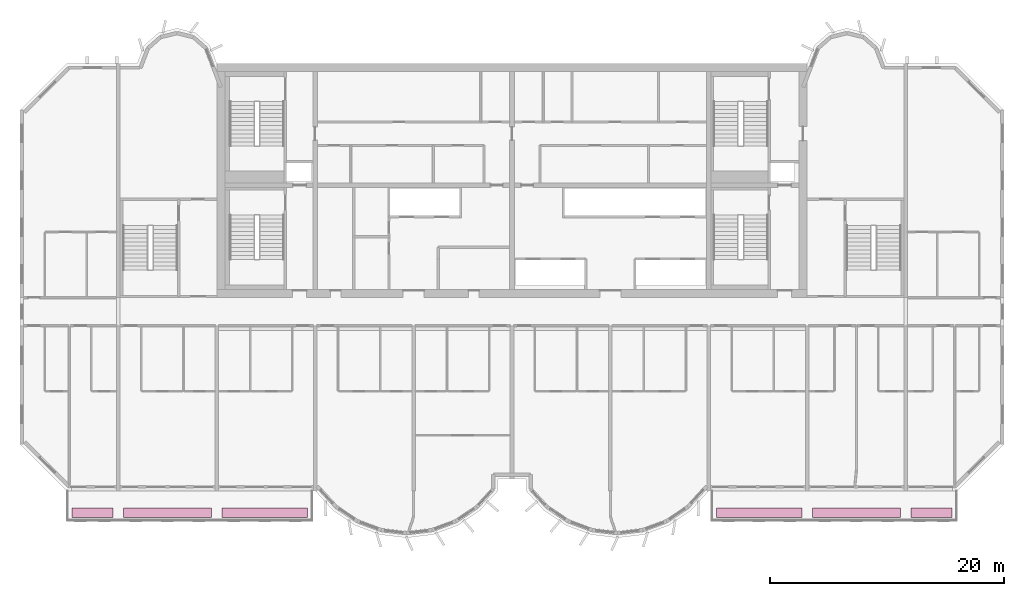
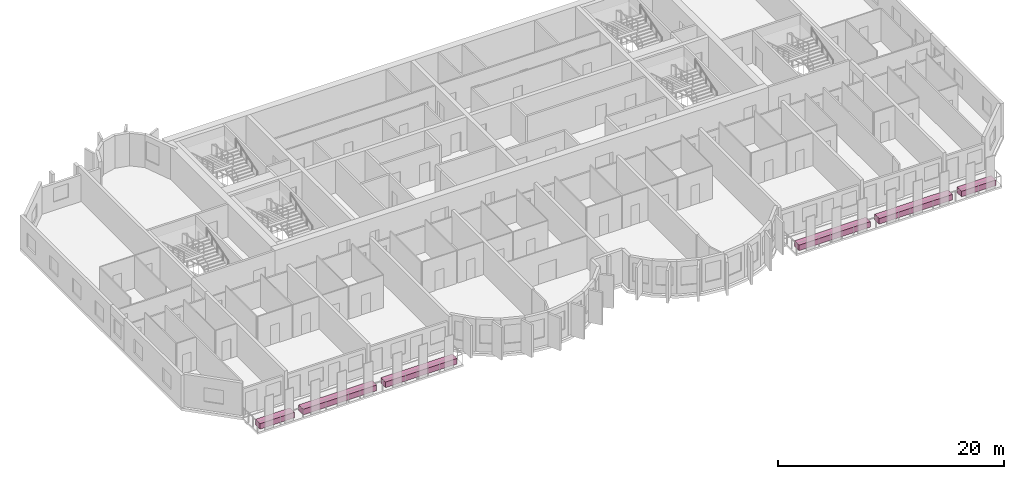
# One storey, part 13 of 13: 6 furniture elements.
"""IFC4 building model written with IfcOpenShell, lengths in metres."""

from ifc_helpers import new_model, si_unit, direction, frame, origin, origin_2d, place, context, subcontext, project, spatial, rectangle, extrude, source, transform, mapped, material, type_object, element, save


model = new_model("IFC4")

# Units and contexts
model_context = context("Model", 3, precision=1e-05, world=origin(), true_north=direction((0.0, 1.0)))
body_context = subcontext(model_context, "Body", "Model", "MODEL_VIEW")
ifc_project = project(units=[si_unit("LENGTHUNIT", "METRE"), si_unit("AREAUNIT", "SQUARE_METRE"), si_unit("VOLUMEUNIT", "CUBIC_METRE"), si_unit("PLANEANGLEUNIT", "RADIAN"), si_unit("MASSUNIT", "GRAM", prefix="KILO")], contexts=[model_context])

# Site, building, storey
site_placement = place(None, origin())
site = spatial("IfcSite", under=ifc_project, at=site_placement, CompositionType="ELEMENT")
building_placement = place(site_placement, origin())
building = spatial("IfcBuilding", under=site, at=building_placement, Name="Vanashikhar Sky Hotel", CompositionType="ELEMENT")
storey_placement = place(building_placement, frame((0.0, 0.0, 189.60009765625)))
storey = spatial("IfcBuildingStorey", under=building, at=storey_placement, Name="L46", CompositionType="ELEMENT", Elevation=189.60009765625)

# Furniture
ifc_material = material(Name="Planting soil and shrubs")
furniture_type = type_object("IfcFurnitureType", Name="Planter trough", AssemblyPlace="NOTDEFINED", PredefinedType="USERDEFINED", material=ifc_material)
shared_shape_1 = source(origin(), body_context, "Body", "SweptSolid", [
    extrude(rectangle(XDim=3.5, YDim=0.800048828125, at=origin_2d()), origin(), (0.0, 0.0, 1.0), 0.60009765625),
])
for number, where, z_axis, x_axis, name in (
    (1, (14.60009765625, 3.64990234375, -0.050048828125), (0.0, 0.0, 1.0), (1.0, 0.0, 0.0), "PLANTER with climbers"),
    (2, (86.199951171875, 3.64990234375, -0.050048828125), (0.0, 0.0, 1.0), (1.0, 0.0, 0.0), "PLANTER with climbers"),
):
    element("IfcFurniture", number, at=place(storey_placement, frame(where, z_axis=z_axis, x_axis=x_axis)), inside=storey, type_object=furniture_type, Name=name, ObjectType="PLANTER", PredefinedType="USERDEFINED", context=body_context, shape_type="MappedRepresentation", body=[
        mapped(shared_shape_1, transform((0.0, 0.0, 0.0), scale=1.0)),
    ])
shared_shape_2 = source(origin(), body_context, "Body", "SweptSolid", [
    extrude(rectangle(XDim=7.5, YDim=0.800048828125, at=origin_2d()), origin(), (0.0, 0.0, 1.0), 0.60009765625),
])
for number, where, z_axis, x_axis, name in (
    (3, (21.0, 3.64990234375, -0.050048828125), (0.0, 0.0, 1.0), (1.0, 0.0, 0.0), "PLANTER with climbers"),
    (4, (79.800048828125, 3.64990234375, -0.050048828125), (0.0, 0.0, 1.0), (1.0, 0.0, 0.0), "PLANTER with climbers"),
):
    element("IfcFurniture", number, at=place(storey_placement, frame(where, z_axis=z_axis, x_axis=x_axis)), inside=storey, type_object=furniture_type, Name=name, ObjectType="PLANTER", PredefinedType="USERDEFINED", context=body_context, shape_type="MappedRepresentation", body=[
        mapped(shared_shape_2, transform((0.0, 0.0, 0.0), scale=1.0)),
    ])
shared_shape_3 = source(origin(), body_context, "Body", "SweptSolid", [
    extrude(rectangle(XDim=7.300048828125, YDim=0.800048828125, at=origin_2d()), origin(), (0.0, 0.0, 1.0), 0.60009765625),
])
for number, where, z_axis, x_axis, name in (
    (5, (29.300048828125, 3.64990234375, -0.050048828125), (0.0, 0.0, 1.0), (1.0, 0.0, 0.0), "PLANTER with climbers"),
    (6, (71.5, 3.64990234375, -0.050048828125), (0.0, 0.0, 1.0), (1.0, 0.0, 0.0), "PLANTER with climbers"),
):
    element("IfcFurniture", number, at=place(storey_placement, frame(where, z_axis=z_axis, x_axis=x_axis)), inside=storey, type_object=furniture_type, Name=name, ObjectType="PLANTER", PredefinedType="USERDEFINED", context=body_context, shape_type="MappedRepresentation", body=[
        mapped(shared_shape_3, transform((0.0, 0.0, 0.0), scale=1.0)),
    ])

save(model, "model.ifc")
